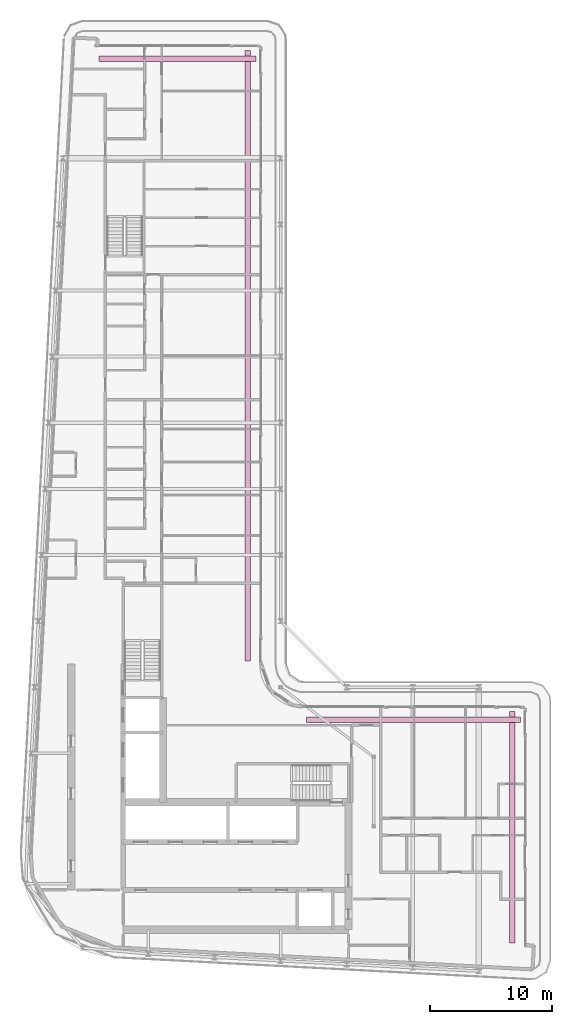
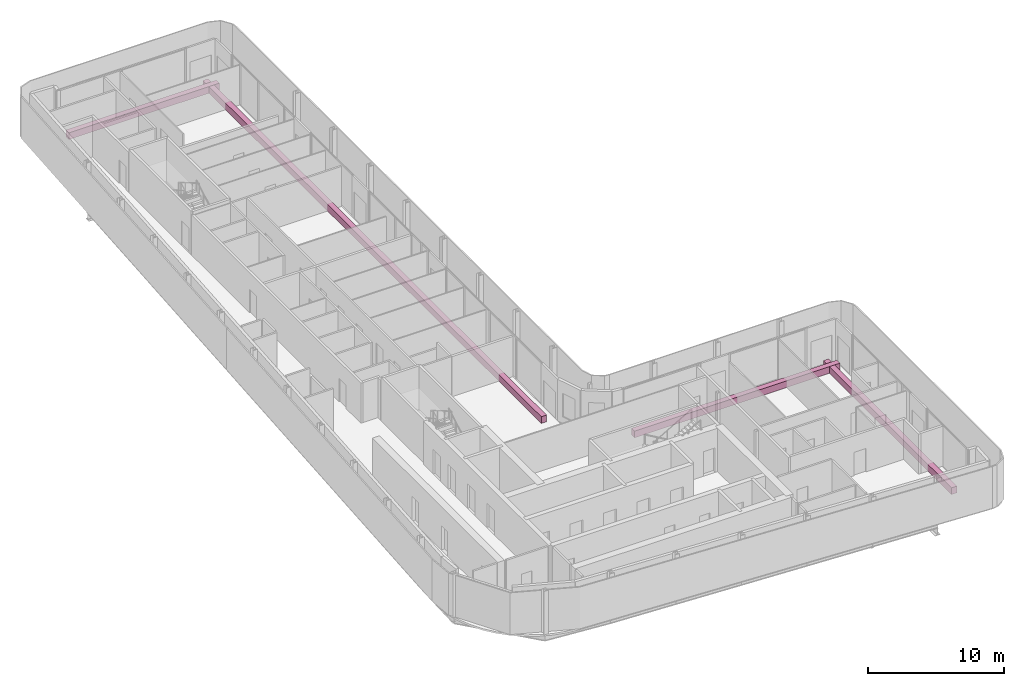
# One storey, part 21 of 21: 4 furniture elements.
"""IFC4 building model written with IfcOpenShell, lengths in metres."""

from ifc_helpers import new_model, si_unit, direction, frame, origin, origin_2d, place, context, subcontext, project, spatial, rectangle, extrude, material, type_object, element, save


model = new_model("IFC4")

# Units and contexts
model_context = context("Model", 3, precision=1e-05, world=origin(), true_north=direction((0.0, 1.0)))
body_context = subcontext(model_context, "Body", "Model", "MODEL_VIEW")
ifc_project = project(units=[si_unit("LENGTHUNIT", "METRE"), si_unit("AREAUNIT", "SQUARE_METRE"), si_unit("VOLUMEUNIT", "CUBIC_METRE"), si_unit("PLANEANGLEUNIT", "RADIAN"), si_unit("MASSUNIT", "GRAM", prefix="KILO")], contexts=[model_context])

# Site, building, storey
site_placement = place(None, origin())
site = spatial("IfcSite", under=ifc_project, at=site_placement, CompositionType="ELEMENT")
building_placement = place(site_placement, origin())
building = spatial("IfcBuilding", under=site, at=building_placement, Name="Kheshtan School and Residences Tower", CompositionType="ELEMENT")
storey_placement = place(building_placement, frame((0.0, 0.0, 309.800048828125)))
storey = spatial("IfcBuildingStorey", under=building, at=storey_placement, Name="L73", CompositionType="ELEMENT", Elevation=309.800048828125)

# Furniture
ifc_material = material(Name="Precast concrete C30/37 in terracotta finish", Category="masonry")
furniture_type = type_object("IfcFurnitureType", Name="Planter trough", AssemblyPlace="NOTDEFINED", PredefinedType="USERDEFINED", material=ifc_material)
furniture_1_placement = place(storey_placement, frame((39.196044921875, 96.925048828125, 0.0), z_axis=(0.0, 0.0, 1.0), x_axis=(1.0, 0.0, 0.0)))
element("IfcFurniture", 1, at=furniture_1_placement, inside=storey, type_object=furniture_type, Name="Planter L73", ObjectType="PLANTER", PredefinedType="USERDEFINED", context=body_context, shape_type="SweptSolid", body=[
    extrude(rectangle(XDim=12.80810546875, YDim=0.449951171875, at=origin_2d()), origin(), (0.0, 0.0, 1.0), 0.60009765625),
])
furniture_2_placement = place(storey_placement, frame((44.925048828125, 72.6650390625, 0.0), z_axis=(0.0, 0.0, 1.0), x_axis=(0.0, -1.0, 0.0)))
element("IfcFurniture", 2, at=furniture_2_placement, inside=storey, type_object=furniture_type, Name="Planter L73", ObjectType="PLANTER", PredefinedType="USERDEFINED", context=body_context, shape_type="SweptSolid", body=[
    extrude(rectangle(XDim=49.8701171875, YDim=0.449951171875, at=origin_2d()), origin(), (0.0, 0.0, 1.0), 0.60009765625),
])
furniture_3_placement = place(storey_placement, frame((58.465087890625, 42.925048828125, 0.0), z_axis=(0.0, 0.0, 1.0), x_axis=(1.0, 0.0, 0.0)))
element("IfcFurniture", 3, at=furniture_3_placement, inside=storey, type_object=furniture_type, Name="Planter L73", ObjectType="PLANTER", PredefinedType="USERDEFINED", context=body_context, shape_type="SweptSolid", body=[
    extrude(rectangle(XDim=17.469970703125, YDim=0.449951171875, at=origin_2d()), origin(), (0.0, 0.0, 1.0), 0.60009765625),
])
furniture_4_placement = place(storey_placement, frame((66.52490234375, 34.159912109375, 0.0), z_axis=(0.0, 0.0, 1.0), x_axis=(0.0, -1.0, 0.0)))
element("IfcFurniture", 4, at=furniture_4_placement, inside=storey, type_object=furniture_type, Name="Planter L73", ObjectType="PLANTER", PredefinedType="USERDEFINED", context=body_context, shape_type="SweptSolid", body=[
    extrude(rectangle(XDim=18.881103515625, YDim=0.449951171875, at=origin_2d()), origin(), (0.0, 0.0, 1.0), 0.60009765625),
])

save(model, "model.ifc")
